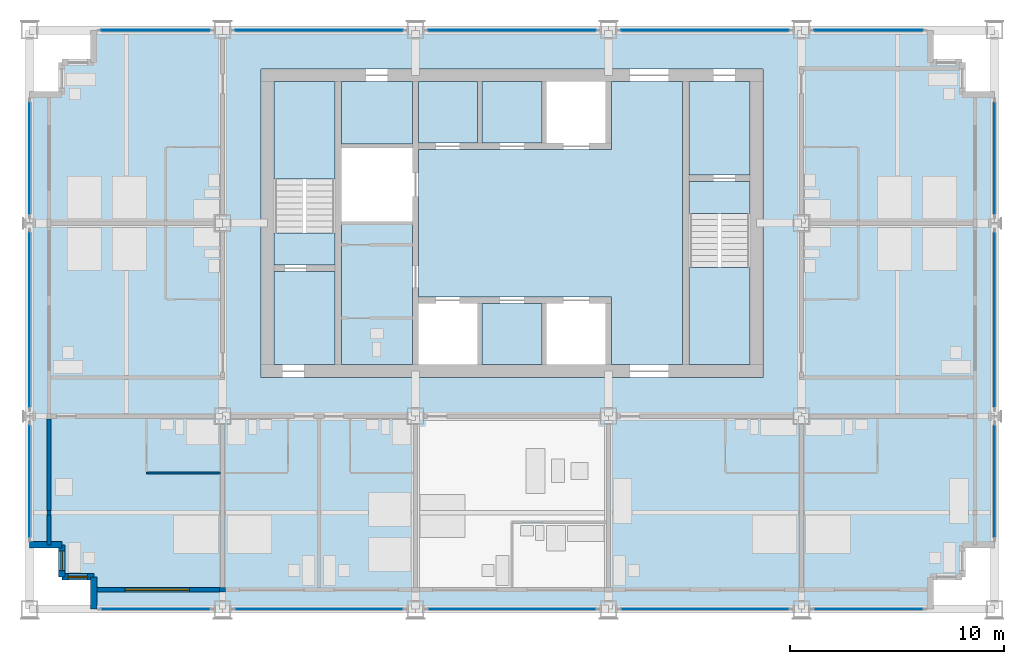
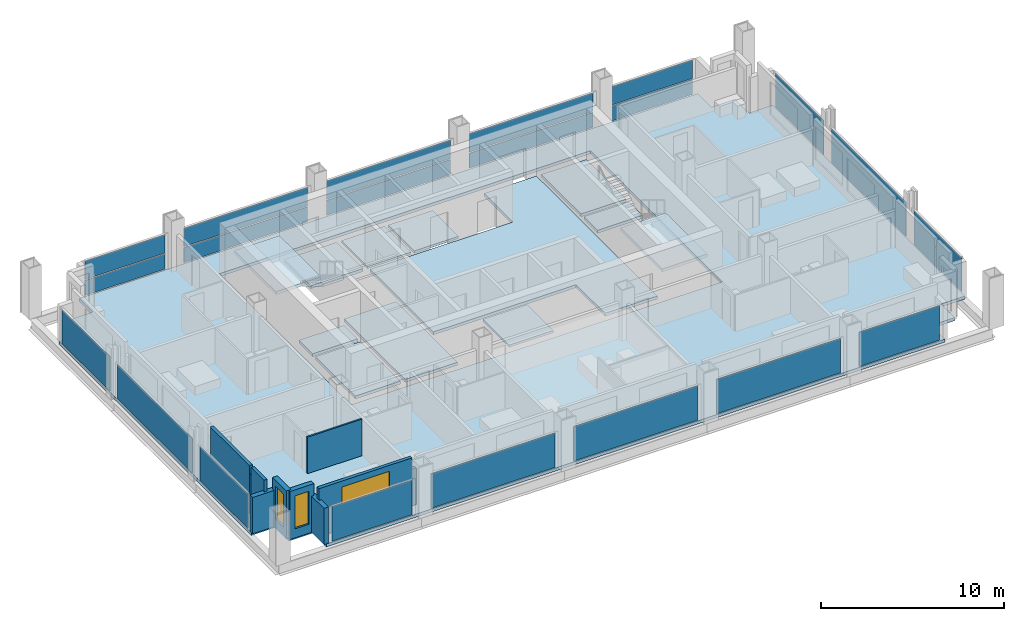
# One storey, part 6 of 13: 21 plates, 13 slabs, 10 walls, 3 windows, 3 openings, 18 elements without a shape of their own.
"""IFC4 building model written with IfcOpenShell, lengths in metres."""

import ifcopenshell
import ifcopenshell.guid

model = None  # the IFC model being written
_history = None  # IfcOwnerHistory: only IFC2X3 demands one
_inside = {}  # id of a spatial element -> (the spatial element, [elements in it])
_under = {}  # id of a project, library or spatial element -> (it, [spatial elements below it])
_declared = {}  # id of a project -> (the project, [libraries it declares])
_typed = {}  # id of a type object -> (the type object, [elements of that type])
_made_of = {}  # id of a material, layer set ... -> (it, [elements and type objects made of it])


def new_model(schema):
    """Start an empty IFC model of exactly this schema.

    Asked for "IFC4X3", IfcOpenShell would pick the latest addendum, in which some entities
    have other attributes; the version numbers below select the first issue.
    IFC2X3 requires an IfcOwnerHistory on every rooted entity: one is made here for all.
    """
    global model, _history
    if schema == "IFC4X3":
        model = ifcopenshell.file(schema_version=(4, 3, 0, 0))
    else:
        model = ifcopenshell.file(schema=schema)
    _inside.clear()
    _under.clear()
    _declared.clear()
    _typed.clear()
    _made_of.clear()
    _history = None
    if model.schema == "IFC2X3":
        org = make("IfcOrganization", Name="unknown")
        user = make(
            "IfcPersonAndOrganization",
            ThePerson=make("IfcPerson", FamilyName="unknown"),
            TheOrganization=org,
        )
        app = make(
            "IfcApplication",
            ApplicationDeveloper=org,
            Version="unknown",
            ApplicationFullName="unknown",
            ApplicationIdentifier="unknown",
        )
        _history = make(
            "IfcOwnerHistory",
            OwningUser=user,
            OwningApplication=app,
            ChangeAction="ADDED",
            CreationDate=0,
        )
    return model


def make(cls, **values):
    """One entity of the class cls with the attributes given. An attribute that is None is left unset."""
    return model.create_entity(
        cls, **{name: value for name, value in values.items() if value is not None}
    )


def rooted(cls, **values):
    """An entity with a GlobalId (a new one), such as an element, a storey or a relation."""
    return make(cls, GlobalId=ifcopenshell.guid.new(), OwnerHistory=_history, **values)


def si_unit(unit_type, name, prefix=None):
    """IfcSIUnit, for example si_unit("LENGTHUNIT", "METRE", prefix="MILLI")."""
    return make("IfcSIUnit", UnitType=unit_type, Prefix=prefix, Name=name)


def assignment(units):
    """IfcUnitAssignment: the units of a project."""
    return None if units is None else make("IfcUnitAssignment", Units=units)


def point(xyz):
    """IfcCartesianPoint."""
    return None if xyz is None else make("IfcCartesianPoint", Coordinates=xyz)


def direction(xyz):
    """IfcDirection."""
    return None if xyz is None else make("IfcDirection", DirectionRatios=xyz)


def frame(location, z_axis=None, x_axis=None):
    """IfcAxis2Placement3D, a coordinate frame: its origin and axes. An axis left out is left unset."""
    return make(
        "IfcAxis2Placement3D",
        Location=point(location),
        Axis=direction(z_axis),
        RefDirection=direction(x_axis),
    )


def frame_2d(location, x_axis=None):
    """IfcAxis2Placement2D, a coordinate frame in the plane: its origin and x axis."""
    return make(
        "IfcAxis2Placement2D", Location=point(location), RefDirection=direction(x_axis)
    )


def origin():
    """The frame at (0, 0, 0) with its axes left unset."""
    return frame((0.0, 0.0, 0.0))


def origin_2d():
    """The frame at (0, 0) in the plane with its x axis left unset."""
    return frame_2d((0.0, 0.0))


def place(relative_to, where):
    """IfcLocalPlacement: puts the frame where relative to a parent placement (None: the world)."""
    return make(
        "IfcLocalPlacement", PlacementRelTo=relative_to, RelativePlacement=where
    )


def context(
    kind, dimensions, precision=None, world=None, true_north=None, identifier=None
):
    """IfcGeometricRepresentationContext, for example the 3D "Model" context."""
    return make(
        "IfcGeometricRepresentationContext",
        ContextIdentifier=identifier,
        ContextType=kind,
        CoordinateSpaceDimension=dimensions,
        Precision=precision,
        WorldCoordinateSystem=world,
        TrueNorth=true_north,
    )


def subcontext(parent, identifier, kind, view, scale=None):
    """IfcGeometricRepresentationSubContext, for example "Body" below "Model"."""
    return make(
        "IfcGeometricRepresentationSubContext",
        ContextIdentifier=identifier,
        ContextType=kind,
        ParentContext=parent,
        TargetScale=scale,
        TargetView=view,
    )


def project(units=None, contexts=None):
    """IfcProject with its units and contexts."""
    return rooted(
        "IfcProject",
        Name="project",
        RepresentationContexts=contexts,
        UnitsInContext=assignment(units),
    )


def spatial(cls, under=None, at=None, **own):
    """A site, building, storey or space (cls), placed at a placement, below another one or the project."""
    s = rooted(cls, ObjectPlacement=at, **own)
    if under is not None:
        _under.setdefault(under.id(), (under, []))[1].append(s)
    return s


def polyline(points):
    """IfcPolyline through the points."""
    return make("IfcPolyline", Points=[point(p) for p in points])


def profile(cls, at=None, kind="AREA", **sizes):
    """A parametric profile (cls). Its sizes go by their IFC names, for example OverallWidth=200.0."""
    return make(cls, ProfileType=kind, Position=at, **sizes)


def rectangle(**sizes):
    """IfcRectangleProfileDef."""
    return profile("IfcRectangleProfileDef", **sizes)


def outline(outer, holes=None, kind="AREA"):
    """IfcArbitraryClosedProfileDef: a profile drawn as a closed curve; with holes, ...WithVoids."""
    if holes is None:
        return make("IfcArbitraryClosedProfileDef", ProfileType=kind, OuterCurve=outer)
    return make(
        "IfcArbitraryProfileDefWithVoids",
        ProfileType=kind,
        OuterCurve=outer,
        InnerCurves=holes,
    )


def extrude(swept, where, along, depth):
    """IfcExtrudedAreaSolid: the profile swept, set in the frame where, extruded along a direction by depth."""
    return make(
        "IfcExtrudedAreaSolid",
        SweptArea=swept,
        Position=where,
        ExtrudedDirection=direction(along),
        Depth=depth,
    )


def shape(context_of_items, identifier, shape_type, items):
    """IfcShapeRepresentation: the items that make up one representation, for example the "Body"."""
    return make(
        "IfcShapeRepresentation",
        ContextOfItems=context_of_items,
        RepresentationIdentifier=identifier,
        RepresentationType=shape_type,
        Items=items,
    )


def material(Name=None, Category=None):
    """IfcMaterial."""
    return make("IfcMaterial", Name=Name, Category=Category)


def layer(
    of_material, thickness, ventilated=None, Name=None, Category=None, Priority=None
):
    """IfcMaterialLayer: one layer of a wall or slab, of a material (None: an air gap)."""
    return make(
        "IfcMaterialLayer",
        Material=of_material,
        LayerThickness=thickness,
        IsVentilated=ventilated,
        Name=Name,
        Category=Category,
        Priority=Priority,
    )


def layer_set(layers, Name=None):
    """IfcMaterialLayerSet."""
    return make("IfcMaterialLayerSet", MaterialLayers=layers, LayerSetName=Name)


def made_of(thing, what):
    """Note that an element or type object is made of a material, layer set ...; save() writes the relation."""
    if what is not None:
        _made_of.setdefault(what.id(), (what, []))[1].append(thing)
    return thing


def type_object(cls, material=None, **own):
    """A type object (cls), such as IfcWallType, which elements share."""
    return made_of(rooted(cls, **own), material)


def element(
    cls,
    number,
    at=None,
    inside=None,
    cuts=None,
    type_object=None,
    material=None,
    context=None,
    identifier="Body",
    shape_type=None,
    held_by="IfcProductDefinitionShape",
    body=None,
    shapes=None,
    **own,
):
    """One element of the class cls, such as IfcWall. Its Tag is "e" and its number.

    at: its placement. inside: the storey or other place that contains it. cuts: it is an
    opening in that element (IfcRelVoidsElement). A single representation is given by context,
    identifier, shape_type and body (its items); several are given by shapes. held_by: the class
    of the entity that holds the representations. save() writes the other relations.
    """
    e = rooted(cls, Tag="e%d" % number, ObjectPlacement=at, **own)
    if body is not None:
        shapes = [shape(context, identifier, shape_type, body)]
    if shapes is not None:
        e.Representation = make(held_by, Representations=shapes)
    if inside is not None:
        _inside.setdefault(inside.id(), (inside, []))[1].append(e)
    if cuts is not None:
        rooted(
            "IfcRelVoidsElement", RelatingBuildingElement=cuts, RelatedOpeningElement=e
        )
    if type_object is not None:
        _typed.setdefault(type_object.id(), (type_object, []))[1].append(e)
    return made_of(e, material)


def fill(opening, filler):
    """IfcRelFillsElement: the door or window that sits in an opening."""
    return rooted(
        "IfcRelFillsElement",
        RelatingOpeningElement=opening,
        RelatedBuildingElement=filler,
    )


def aggregate(whole, parts):
    """IfcRelAggregates: a whole, such as a stair, and the parts it consists of."""
    return rooted("IfcRelAggregates", RelatingObject=whole, RelatedObjects=parts)


def save(model, path):
    """Write the relations noted so far, then the file.

    IfcRelAggregates (storeys below a building ...), IfcRelContainedInSpatialStructure (elements
    in a storey), IfcRelDefinesByType, IfcRelAssociatesMaterial and IfcRelDeclares: one each for
    every whole, place, type object, material and project.
    """
    for whole, parts in _under.values():
        aggregate(whole, parts)
    for where, things in _inside.values():
        rooted(
            "IfcRelContainedInSpatialStructure",
            RelatedElements=things,
            RelatingStructure=where,
        )
    for kind, things in _typed.values():
        rooted("IfcRelDefinesByType", RelatedObjects=things, RelatingType=kind)
    for what, things in _made_of.values():
        rooted("IfcRelAssociatesMaterial", RelatedObjects=things, RelatingMaterial=what)
    for by, libraries in _declared.values():
        rooted("IfcRelDeclares", RelatingContext=by, RelatedDefinitions=libraries)
    model.write(path)


model = new_model("IFC4")

# Units and contexts
model_context = context("Model", 3, precision=1e-05, world=origin(), true_north=direction((0.0, 1.0)))
body_context = subcontext(model_context, "Body", "Model", "MODEL_VIEW")
ifc_project = project(units=[si_unit("LENGTHUNIT", "METRE"), si_unit("AREAUNIT", "SQUARE_METRE"), si_unit("VOLUMEUNIT", "CUBIC_METRE"), si_unit("PLANEANGLEUNIT", "RADIAN"), si_unit("MASSUNIT", "GRAM", prefix="KILO")], contexts=[model_context])

# Site, building, storey
site_placement = place(None, origin())
site = spatial("IfcSite", under=ifc_project, at=site_placement, CompositionType="ELEMENT")
building_placement = place(site_placement, origin())
building = spatial("IfcBuilding", under=site, at=building_placement, Name="Loomwork Tower", CompositionType="ELEMENT")
storey_placement = place(building_placement, frame((0.0, 0.0, 184.199951171875)))
storey = spatial("IfcBuildingStorey", under=building, at=storey_placement, Name="L50", CompositionType="ELEMENT", Elevation=184.199951171875)

# Slabs
ifc_material_1 = material(Name="Concrete 5000 psi (34 MPa) on composite metal deck", Category="concrete")
ifc_layer_1 = layer(ifc_material_1, 0.199951171875)
ifc_layer_set_1 = layer_set([ifc_layer_1], Name="Floor slab 200")
slab_type_1 = type_object("IfcSlabType", Name="Floor slab 200", PredefinedType="FLOOR", material=ifc_layer_set_1)
slab_1_placement = place(storey_placement, frame((0.0, 0.0, -0.199951171875)))
element("IfcSlab", 1, at=slab_1_placement, inside=storey, type_object=slab_type_1, Name="Floor slab L50", PredefinedType="FLOOR", context=body_context, shape_type="SweptSolid", body=[
    extrude(outline(polyline([(3.0, 1.5), (1.5, 1.5), (1.5, 3.0), (0.0, 3.0), (0.0, 24.0), (1.5, 24.0), (1.5, 25.5), (3.0, 25.5), (3.0, 27.0), (42.0, 27.0), (42.0, 25.5), (43.5, 25.5), (43.5, 24.0), (45.0, 24.0), (45.0, 3.0), (43.5, 3.0), (43.5, 1.5), (42.0, 1.5), (42.0, 0.0), (3.0, 0.0), (3.0, 1.5)]), holes=[polyline([(10.800048828125, 11.39990234375), (10.800048828125, 11.39990234375), (10.800048828125, 10.800048828125), (34.199951171875, 10.800048828125), (34.199951171875, 11.39990234375), (34.199951171875, 11.39990234375), (34.199951171875, 24.60009765625), (34.199951171875, 25.199951171875), (10.800048828125, 25.199951171875), (10.800048828125, 24.60009765625), (10.800048828125, 11.39990234375)])]), origin(), (0.0, 0.0, 1.0), 0.199951171875),
])
slab_2_placement = place(storey_placement, frame((0.0, 0.0, -0.199951171875)))
element("IfcSlab", 2, at=slab_2_placement, inside=storey, type_object=slab_type_1, Name="Floor slab L50", PredefinedType="FLOOR", context=body_context, shape_type="SweptSolid", body=[
    extrude(outline(polyline([(30.449951171875, 24.60009765625), (30.449951171875, 11.39990234375), (27.14990234375, 11.39990234375), (27.14990234375, 14.25), (27.14990234375, 14.550048828125), (18.14990234375, 14.550048828125), (18.14990234375, 21.449951171875), (27.14990234375, 21.449951171875), (27.14990234375, 21.75), (27.14990234375, 24.60009765625), (30.449951171875, 24.60009765625)])), origin(), (0.0, 0.0, 1.0), 0.199951171875),
])
slab_3_placement = place(storey_placement, frame((0.0, 0.0, -0.199951171875)))
element("IfcSlab", 3, at=slab_3_placement, inside=storey, type_object=slab_type_1, Name="Floor slab L50", PredefinedType="FLOOR", context=body_context, shape_type="SweptSolid", body=[
    extrude(outline(polyline([(14.550048828125, 11.39990234375), (14.550048828125, 18.074951171875), (17.85009765625, 18.074951171875), (17.85009765625, 11.39990234375), (14.550048828125, 11.39990234375)])), origin(), (0.0, 0.0, 1.0), 0.199951171875),
])
slab_4_placement = place(storey_placement, frame((0.0, 0.0, -0.199951171875)))
element("IfcSlab", 4, at=slab_4_placement, inside=storey, type_object=slab_type_1, Name="Floor slab L50", PredefinedType="FLOOR", context=body_context, shape_type="SweptSolid", body=[
    extrude(outline(polyline([(33.60009765625, 20.25), (30.75, 20.25), (30.75, 24.60009765625), (33.60009765625, 24.60009765625), (33.60009765625, 20.25)])), origin(), (0.0, 0.0, 1.0), 0.199951171875),
])
slab_5_placement = place(storey_placement, frame((0.0, 0.0, -0.199951171875)))
element("IfcSlab", 5, at=slab_5_placement, inside=storey, type_object=slab_type_1, Name="Floor slab L50", PredefinedType="FLOOR", context=body_context, shape_type="SweptSolid", body=[
    extrude(outline(polyline([(14.25, 15.75), (14.25, 11.39990234375), (11.39990234375, 11.39990234375), (11.39990234375, 15.75), (14.25, 15.75)])), origin(), (0.0, 0.0, 1.0), 0.199951171875),
])
slab_6_placement = place(storey_placement, frame((0.0, 0.0, -0.199951171875)))
element("IfcSlab", 6, at=slab_6_placement, inside=storey, type_object=slab_type_1, Name="Floor slab L50", PredefinedType="FLOOR", context=body_context, shape_type="SweptSolid", body=[
    extrude(outline(polyline([(14.550048828125, 21.699951171875), (14.550048828125, 24.60009765625), (17.85009765625, 24.60009765625), (17.85009765625, 21.699951171875), (14.550048828125, 21.699951171875)])), origin(), (0.0, 0.0, 1.0), 0.199951171875),
])

# Curtain wall, plate
ifc_material_2 = material(Name="Aluminium curtain wall frame", Category="aluminium")
curtain_wall_type_1 = type_object("IfcCurtainWallType", Name="Outer skin glazing hotel", PredefinedType="NOTDEFINED", material=ifc_material_2)
curtain_wall_1_placement = place(storey_placement, origin())
curtain_wall_1 = element("IfcCurtainWall", 7, at=curtain_wall_1_placement, inside=storey, type_object=curtain_wall_type_1, Name="Outer skin glazing hotel cw/S-0", PredefinedType="NOTDEFINED")
ifc_material_3 = material(Name="Clear laminated glass", Category="glass")
ifc_layer_2 = layer(ifc_material_3, 0.02392578125)
ifc_layer_set_2 = layer_set([ifc_layer_2], Name="Outer skin glazing hotel panel")
plate_type_1 = type_object("IfcPlateType", Name="Outer skin glazing hotel panel", PredefinedType="CURTAIN_PANEL", material=ifc_layer_set_2)
plate_1_placement = place(storey_placement, frame((5.875, 0.0, 0.06494140625), z_axis=(0.0, 0.0, 1.0), x_axis=(1.0, 0.0, 0.0)))
plate_1 = element("IfcPlate", 8, at=plate_1_placement, type_object=plate_type_1, Name="CW1 panel 1.1", PredefinedType="CURTAIN_PANEL", context=body_context, shape_type="SweptSolid", body=[
    extrude(rectangle(XDim=5.050048828125, YDim=0.02392578125, at=origin_2d()), origin(), (0.0, 0.0, 1.0), 2.290283203125),
])
aggregate(curtain_wall_1, [plate_1])

curtain_wall_2_placement = place(storey_placement, origin())
curtain_wall_2 = element("IfcCurtainWall", 9, at=curtain_wall_2_placement, inside=storey, type_object=curtain_wall_type_1, Name="Outer skin glazing hotel cw/S-9", PredefinedType="NOTDEFINED")
plate_2_placement = place(storey_placement, frame((13.5, 0.0, 0.06494140625), z_axis=(0.0, 0.0, 1.0), x_axis=(1.0, 0.0, 0.0)))
plate_2 = element("IfcPlate", 10, at=plate_2_placement, type_object=plate_type_1, Name="CW1 panel 1.1", PredefinedType="CURTAIN_PANEL", context=body_context, shape_type="SweptSolid", body=[
    extrude(rectangle(XDim=7.800048828125, YDim=0.02392578125, at=origin_2d()), origin(), (0.0, 0.0, 1.0), 2.290283203125),
])
aggregate(curtain_wall_2, [plate_2])

curtain_wall_3_placement = place(storey_placement, origin())
curtain_wall_3 = element("IfcCurtainWall", 11, at=curtain_wall_3_placement, inside=storey, type_object=curtain_wall_type_1, Name="Outer skin glazing hotel cw/S-18", PredefinedType="NOTDEFINED")
plate_3_placement = place(storey_placement, frame((22.5, 0.0, 0.06494140625), z_axis=(0.0, 0.0, 1.0), x_axis=(1.0, 0.0, 0.0)))
plate_3 = element("IfcPlate", 12, at=plate_3_placement, type_object=plate_type_1, Name="CW1 panel 1.1", PredefinedType="CURTAIN_PANEL", context=body_context, shape_type="SweptSolid", body=[
    extrude(rectangle(XDim=7.800048828125, YDim=0.02392578125, at=origin_2d()), origin(), (0.0, 0.0, 1.0), 2.290283203125),
])
aggregate(curtain_wall_3, [plate_3])

curtain_wall_4_placement = place(storey_placement, origin())
curtain_wall_4 = element("IfcCurtainWall", 13, at=curtain_wall_4_placement, inside=storey, type_object=curtain_wall_type_1, Name="Outer skin glazing hotel cw/S-27", PredefinedType="NOTDEFINED")
plate_4_placement = place(storey_placement, frame((31.5, 0.0, 0.06494140625), z_axis=(0.0, 0.0, 1.0), x_axis=(1.0, 0.0, 0.0)))
plate_4 = element("IfcPlate", 14, at=plate_4_placement, type_object=plate_type_1, Name="CW1 panel 1.1", PredefinedType="CURTAIN_PANEL", context=body_context, shape_type="SweptSolid", body=[
    extrude(rectangle(XDim=7.800048828125, YDim=0.02392578125, at=origin_2d()), origin(), (0.0, 0.0, 1.0), 2.290283203125),
])
aggregate(curtain_wall_4, [plate_4])

curtain_wall_5_placement = place(storey_placement, origin())
curtain_wall_5 = element("IfcCurtainWall", 15, at=curtain_wall_5_placement, inside=storey, type_object=curtain_wall_type_1, Name="Outer skin glazing hotel cw/S-36", PredefinedType="NOTDEFINED")
plate_5_placement = place(storey_placement, frame((39.125, 0.0, 0.06494140625), z_axis=(0.0, 0.0, 1.0), x_axis=(1.0, 0.0, 0.0)))
plate_5 = element("IfcPlate", 16, at=plate_5_placement, type_object=plate_type_1, Name="CW1 panel 1.1", PredefinedType="CURTAIN_PANEL", context=body_context, shape_type="SweptSolid", body=[
    extrude(rectangle(XDim=5.050048828125, YDim=0.02392578125, at=origin_2d()), origin(), (0.0, 0.0, 1.0), 2.290283203125),
])
aggregate(curtain_wall_5, [plate_5])

curtain_wall_6_placement = place(storey_placement, origin())
curtain_wall_6 = element("IfcCurtainWall", 17, at=curtain_wall_6_placement, inside=storey, type_object=curtain_wall_type_1, Name="Outer skin glazing hotel cw/W-0", PredefinedType="NOTDEFINED")
plate_6_placement = place(storey_placement, frame((0.0, 5.962646484375, 0.06494140625), z_axis=(0.0, 0.0, 1.0), x_axis=(0.0, -1.0, 0.0)))
plate_6 = element("IfcPlate", 18, at=plate_6_placement, type_object=plate_type_1, Name="CW1 panel 1.1", PredefinedType="CURTAIN_PANEL", context=body_context, shape_type="SweptSolid", body=[
    extrude(rectangle(XDim=5.22509765625, YDim=0.02392578125, at=origin_2d()), origin(), (0.0, 0.0, 1.0), 2.290283203125),
])
aggregate(curtain_wall_6, [plate_6])

curtain_wall_7_placement = place(storey_placement, origin())
curtain_wall_7 = element("IfcCurtainWall", 19, at=curtain_wall_7_placement, inside=storey, type_object=curtain_wall_type_1, Name="Outer skin glazing hotel cw/W-9", PredefinedType="NOTDEFINED")
plate_7_placement = place(storey_placement, frame((0.0, 13.5, 0.06494140625), z_axis=(0.0, 0.0, 1.0), x_axis=(0.0, -1.0, 0.0)))
plate_7 = element("IfcPlate", 20, at=plate_7_placement, type_object=plate_type_1, Name="CW1 panel 1.1", PredefinedType="CURTAIN_PANEL", context=body_context, shape_type="SweptSolid", body=[
    extrude(rectangle(XDim=8.150390625, YDim=0.02392578125, at=origin_2d()), origin(), (0.0, 0.0, 1.0), 2.290283203125),
])
aggregate(curtain_wall_7, [plate_7])

curtain_wall_8_placement = place(storey_placement, origin())
curtain_wall_8 = element("IfcCurtainWall", 21, at=curtain_wall_8_placement, inside=storey, type_object=curtain_wall_type_1, Name="Outer skin glazing hotel cw/W-18", PredefinedType="NOTDEFINED")
plate_8_placement = place(storey_placement, frame((0.0, 21.037353515625, 0.06494140625), z_axis=(0.0, 0.0, 1.0), x_axis=(0.0, -1.0, 0.0)))
plate_8 = element("IfcPlate", 22, at=plate_8_placement, type_object=plate_type_1, Name="CW1 panel 1.1", PredefinedType="CURTAIN_PANEL", context=body_context, shape_type="SweptSolid", body=[
    extrude(rectangle(XDim=5.22509765625, YDim=0.02392578125, at=origin_2d()), origin(), (0.0, 0.0, 1.0), 2.290283203125),
])
aggregate(curtain_wall_8, [plate_8])

curtain_wall_9_placement = place(storey_placement, origin())
curtain_wall_9 = element("IfcCurtainWall", 23, at=curtain_wall_9_placement, inside=storey, type_object=curtain_wall_type_1, Name="Outer skin glazing hotel cw/E-0", PredefinedType="NOTDEFINED")
plate_9_placement = place(storey_placement, frame((45.0, 5.962646484375, 0.06494140625), z_axis=(0.0, 0.0, 1.0), x_axis=(0.0, 1.0, 0.0)))
plate_9 = element("IfcPlate", 24, at=plate_9_placement, type_object=plate_type_1, Name="CW1 panel 1.1", PredefinedType="CURTAIN_PANEL", context=body_context, shape_type="SweptSolid", body=[
    extrude(rectangle(XDim=5.22509765625, YDim=0.02392578125, at=origin_2d()), origin(), (0.0, 0.0, 1.0), 2.290283203125),
])
aggregate(curtain_wall_9, [plate_9])

curtain_wall_10_placement = place(storey_placement, origin())
curtain_wall_10 = element("IfcCurtainWall", 25, at=curtain_wall_10_placement, inside=storey, type_object=curtain_wall_type_1, Name="Outer skin glazing hotel cw/E-9", PredefinedType="NOTDEFINED")
plate_10_placement = place(storey_placement, frame((45.0, 13.5, 0.06494140625), z_axis=(0.0, 0.0, 1.0), x_axis=(0.0, 1.0, 0.0)))
plate_10 = element("IfcPlate", 26, at=plate_10_placement, type_object=plate_type_1, Name="CW1 panel 1.1", PredefinedType="CURTAIN_PANEL", context=body_context, shape_type="SweptSolid", body=[
    extrude(rectangle(XDim=8.150390625, YDim=0.02392578125, at=origin_2d()), origin(), (0.0, 0.0, 1.0), 2.290283203125),
])
aggregate(curtain_wall_10, [plate_10])

curtain_wall_11_placement = place(storey_placement, origin())
curtain_wall_11 = element("IfcCurtainWall", 27, at=curtain_wall_11_placement, inside=storey, type_object=curtain_wall_type_1, Name="Outer skin glazing hotel cw/E-18", PredefinedType="NOTDEFINED")
plate_11_placement = place(storey_placement, frame((45.0, 21.037353515625, 0.06494140625), z_axis=(0.0, 0.0, 1.0), x_axis=(0.0, 1.0, 0.0)))
plate_11 = element("IfcPlate", 28, at=plate_11_placement, type_object=plate_type_1, Name="CW1 panel 1.1", PredefinedType="CURTAIN_PANEL", context=body_context, shape_type="SweptSolid", body=[
    extrude(rectangle(XDim=5.22509765625, YDim=0.02392578125, at=origin_2d()), origin(), (0.0, 0.0, 1.0), 2.290283203125),
])
aggregate(curtain_wall_11, [plate_11])

# Slabs
ifc_material_4 = material(Name="Concrete 5000 psi (34 MPa) on composite metal deck", Category="concrete")
ifc_layer_3 = layer(ifc_material_4, 0.14990234375)
ifc_layer_set_3 = layer_set([ifc_layer_3], Name="Shaft infill floor 150")
slab_type_2 = type_object("IfcSlabType", Name="Shaft infill floor 150", PredefinedType="FLOOR", material=ifc_layer_set_3)
slab_7_placement = place(storey_placement, frame((0.0, 0.0, -0.14990234375)))
element("IfcSlab", 29, at=slab_7_placement, inside=storey, type_object=slab_type_2, Name="Shaft infill floor LS1 L50", PredefinedType="FLOOR", context=body_context, shape_type="SweptSolid", body=[
    extrude(outline(polyline([(18.14990234375, 21.75), (20.89990234375, 21.75), (20.89990234375, 24.60009765625), (18.14990234375, 24.60009765625), (18.14990234375, 21.75)])), origin(), (0.0, 0.0, 1.0), 0.14990234375),
])
slab_8_placement = place(storey_placement, frame((0.0, 0.0, -0.14990234375)))
element("IfcSlab", 30, at=slab_8_placement, inside=storey, type_object=slab_type_2, Name="Shaft infill floor LS2 L50", PredefinedType="FLOOR", context=body_context, shape_type="SweptSolid", body=[
    extrude(outline(polyline([(21.10009765625, 21.75), (23.89990234375, 21.75), (23.89990234375, 24.60009765625), (21.10009765625, 24.60009765625), (21.10009765625, 21.75)])), origin(), (0.0, 0.0, 1.0), 0.14990234375),
])
slab_9_placement = place(storey_placement, frame((0.0, 0.0, -0.14990234375)))
element("IfcSlab", 31, at=slab_9_placement, inside=storey, type_object=slab_type_2, Name="Shaft infill floor S2 L50", PredefinedType="FLOOR", context=body_context, shape_type="SweptSolid", body=[
    extrude(outline(polyline([(21.10009765625, 11.39990234375), (23.89990234375, 11.39990234375), (23.89990234375, 14.25), (21.10009765625, 14.25), (21.10009765625, 11.39990234375)])), origin(), (0.0, 0.0, 1.0), 0.14990234375),
])

# Curtain wall, plates
ifc_material_5 = material(Name="Aluminium curtain wall frame", Category="aluminium")
curtain_wall_type_2 = type_object("IfcCurtainWallType", Name="Single skin glazing corridor", PredefinedType="NOTDEFINED", material=ifc_material_5)
curtain_wall_12_placement = place(storey_placement, origin())
curtain_wall_12 = element("IfcCurtainWall", 32, at=curtain_wall_12_placement, inside=storey, type_object=curtain_wall_type_2, Name="Single skin glazing corridor cw/N-0", PredefinedType="NOTDEFINED")
ifc_material_6 = material(Name="Clear insulated glass", Category="glass")
ifc_layer_4 = layer(ifc_material_6, 0.031982421875)
ifc_layer_set_4 = layer_set([ifc_layer_4], Name="Single skin glazing corridor panel")
plate_type_2 = type_object("IfcPlateType", Name="Single skin glazing corridor panel", PredefinedType="CURTAIN_PANEL", material=ifc_layer_set_4)
plate_12_placement = place(storey_placement, frame((5.875, 27.0, 0.065185546875), z_axis=(0.0, 0.0, 1.0), x_axis=(-1.0, 0.0, 0.0)))
plate_12 = element("IfcPlate", 33, at=plate_12_placement, type_object=plate_type_2, Name="CW3 panel 1.1", PredefinedType="CURTAIN_PANEL", context=body_context, shape_type="SweptSolid", body=[
    extrude(rectangle(XDim=5.050048828125, YDim=0.031982421875, at=origin_2d()), origin(), (0.0, 0.0, 1.0), 1.00244140625),
])
plate_13_placement = place(storey_placement, frame((5.875, 27.0, 1.132568359375), z_axis=(0.0, 0.0, 1.0), x_axis=(-1.0, 0.0, 0.0)))
plate_13 = element("IfcPlate", 34, at=plate_13_placement, type_object=plate_type_2, Name="CW3 panel 1.2", PredefinedType="CURTAIN_PANEL", context=body_context, shape_type="SweptSolid", body=[
    extrude(rectangle(XDim=5.050048828125, YDim=0.031982421875, at=origin_2d()), origin(), (0.0, 0.0, 1.0), 1.22265625),
])
aggregate(curtain_wall_12, [plate_12, plate_13])

curtain_wall_13_placement = place(storey_placement, origin())
curtain_wall_13 = element("IfcCurtainWall", 35, at=curtain_wall_13_placement, inside=storey, type_object=curtain_wall_type_2, Name="Single skin glazing corridor cw/N-9", PredefinedType="NOTDEFINED")
plate_14_placement = place(storey_placement, frame((13.5, 27.0, 0.065185546875), z_axis=(0.0, 0.0, 1.0), x_axis=(-1.0, 0.0, 0.0)))
plate_14 = element("IfcPlate", 36, at=plate_14_placement, type_object=plate_type_2, Name="CW3 panel 1.1", PredefinedType="CURTAIN_PANEL", context=body_context, shape_type="SweptSolid", body=[
    extrude(rectangle(XDim=7.800048828125, YDim=0.031982421875, at=origin_2d()), origin(), (0.0, 0.0, 1.0), 1.00244140625),
])
plate_15_placement = place(storey_placement, frame((13.5, 27.0, 1.132568359375), z_axis=(0.0, 0.0, 1.0), x_axis=(-1.0, 0.0, 0.0)))
plate_15 = element("IfcPlate", 37, at=plate_15_placement, type_object=plate_type_2, Name="CW3 panel 1.2", PredefinedType="CURTAIN_PANEL", context=body_context, shape_type="SweptSolid", body=[
    extrude(rectangle(XDim=7.800048828125, YDim=0.031982421875, at=origin_2d()), origin(), (0.0, 0.0, 1.0), 1.22265625),
])
aggregate(curtain_wall_13, [plate_14, plate_15])

curtain_wall_14_placement = place(storey_placement, origin())
curtain_wall_14 = element("IfcCurtainWall", 38, at=curtain_wall_14_placement, inside=storey, type_object=curtain_wall_type_2, Name="Single skin glazing corridor cw/N-18", PredefinedType="NOTDEFINED")
plate_16_placement = place(storey_placement, frame((22.5, 27.0, 0.065185546875), z_axis=(0.0, 0.0, 1.0), x_axis=(-1.0, 0.0, 0.0)))
plate_16 = element("IfcPlate", 39, at=plate_16_placement, type_object=plate_type_2, Name="CW3 panel 1.1", PredefinedType="CURTAIN_PANEL", context=body_context, shape_type="SweptSolid", body=[
    extrude(rectangle(XDim=7.800048828125, YDim=0.031982421875, at=origin_2d()), origin(), (0.0, 0.0, 1.0), 1.00244140625),
])
plate_17_placement = place(storey_placement, frame((22.5, 27.0, 1.132568359375), z_axis=(0.0, 0.0, 1.0), x_axis=(-1.0, 0.0, 0.0)))
plate_17 = element("IfcPlate", 40, at=plate_17_placement, type_object=plate_type_2, Name="CW3 panel 1.2", PredefinedType="CURTAIN_PANEL", context=body_context, shape_type="SweptSolid", body=[
    extrude(rectangle(XDim=7.800048828125, YDim=0.031982421875, at=origin_2d()), origin(), (0.0, 0.0, 1.0), 1.22265625),
])
aggregate(curtain_wall_14, [plate_16, plate_17])

curtain_wall_15_placement = place(storey_placement, origin())
curtain_wall_15 = element("IfcCurtainWall", 41, at=curtain_wall_15_placement, inside=storey, type_object=curtain_wall_type_2, Name="Single skin glazing corridor cw/N-27", PredefinedType="NOTDEFINED")
plate_18_placement = place(storey_placement, frame((31.5, 27.0, 0.065185546875), z_axis=(0.0, 0.0, 1.0), x_axis=(-1.0, 0.0, 0.0)))
plate_18 = element("IfcPlate", 42, at=plate_18_placement, type_object=plate_type_2, Name="CW3 panel 1.1", PredefinedType="CURTAIN_PANEL", context=body_context, shape_type="SweptSolid", body=[
    extrude(rectangle(XDim=7.800048828125, YDim=0.031982421875, at=origin_2d()), origin(), (0.0, 0.0, 1.0), 1.00244140625),
])
plate_19_placement = place(storey_placement, frame((31.5, 27.0, 1.132568359375), z_axis=(0.0, 0.0, 1.0), x_axis=(-1.0, 0.0, 0.0)))
plate_19 = element("IfcPlate", 43, at=plate_19_placement, type_object=plate_type_2, Name="CW3 panel 1.2", PredefinedType="CURTAIN_PANEL", context=body_context, shape_type="SweptSolid", body=[
    extrude(rectangle(XDim=7.800048828125, YDim=0.031982421875, at=origin_2d()), origin(), (0.0, 0.0, 1.0), 1.22265625),
])
aggregate(curtain_wall_15, [plate_18, plate_19])

curtain_wall_16_placement = place(storey_placement, origin())
curtain_wall_16 = element("IfcCurtainWall", 44, at=curtain_wall_16_placement, inside=storey, type_object=curtain_wall_type_2, Name="Single skin glazing corridor cw/N-36", PredefinedType="NOTDEFINED")
plate_20_placement = place(storey_placement, frame((39.125, 27.0, 0.065185546875), z_axis=(0.0, 0.0, 1.0), x_axis=(-1.0, 0.0, 0.0)))
plate_20 = element("IfcPlate", 45, at=plate_20_placement, type_object=plate_type_2, Name="CW3 panel 1.1", PredefinedType="CURTAIN_PANEL", context=body_context, shape_type="SweptSolid", body=[
    extrude(rectangle(XDim=5.050048828125, YDim=0.031982421875, at=origin_2d()), origin(), (0.0, 0.0, 1.0), 1.00244140625),
])
plate_21_placement = place(storey_placement, frame((39.125, 27.0, 1.132568359375), z_axis=(0.0, 0.0, 1.0), x_axis=(-1.0, 0.0, 0.0)))
plate_21 = element("IfcPlate", 46, at=plate_21_placement, type_object=plate_type_2, Name="CW3 panel 1.2", PredefinedType="CURTAIN_PANEL", context=body_context, shape_type="SweptSolid", body=[
    extrude(rectangle(XDim=5.050048828125, YDim=0.031982421875, at=origin_2d()), origin(), (0.0, 0.0, 1.0), 1.22265625),
])
aggregate(curtain_wall_16, [plate_20, plate_21])

# Stair, slabs
ifc_material_7 = material(Name="Concrete 5000 psi (34 MPa) precast stair", Category="concrete")
stair_type_1 = type_object("IfcStairType", Name="Stair ST-A 20 risers 2850 wide", PredefinedType="HALF_TURN_STAIR", material=ifc_material_7)
stair_1_placement = place(storey_placement, origin())
stair_1 = element("IfcStair", 47, at=stair_1_placement, inside=storey, type_object=stair_type_1, Name="Stair A L50", PredefinedType="HALF_TURN_STAIR")
ifc_material_8 = material(Name="Concrete 5000 psi (34 MPa)", Category="concrete")
ifc_layer_5 = layer(ifc_material_8, 0.199951171875)
ifc_layer_set_5 = layer_set([ifc_layer_5], Name="Stair landing 200")
slab_type_3 = type_object("IfcSlabType", Name="Stair landing 200", PredefinedType="LANDING", material=ifc_layer_set_5)
slab_10_placement = place(storey_placement, frame((0.0, 0.0, -0.199951171875)))
slab_10 = element("IfcSlab", 48, at=slab_10_placement, type_object=slab_type_3, Name="ST-A landing 1", PredefinedType="LANDING", context=body_context, shape_type="SweptSolid", body=[
    extrude(outline(polyline([(11.39990234375, 16.050048828125), (14.25, 16.050048828125), (14.25, 17.550048828125), (11.39990234375, 17.550048828125), (11.39990234375, 16.050048828125)])), origin(), (0.0, 0.0, 1.0), 0.199951171875),
])
slab_11_placement = place(storey_placement, frame((0.0, 0.0, 1.5)))
slab_11 = element("IfcSlab", 49, at=slab_11_placement, type_object=slab_type_3, Name="ST-A landing 2", PredefinedType="LANDING", context=body_context, shape_type="SweptSolid", body=[
    extrude(outline(polyline([(11.39990234375, 20.070068359375), (14.25, 20.070068359375), (14.25, 24.60009765625), (11.39990234375, 24.60009765625), (11.39990234375, 20.070068359375)])), origin(), (0.0, 0.0, 1.0), 0.199951171875),
])
aggregate(stair_1, [slab_10, slab_11])

ifc_material_9 = material(Name="Concrete 5000 psi (34 MPa) precast stair", Category="concrete")
stair_type_2 = type_object("IfcStairType", Name="Stair ST-B 20 risers 2850 wide", PredefinedType="HALF_TURN_STAIR", material=ifc_material_9)
stair_2_placement = place(storey_placement, origin())
stair_2 = element("IfcStair", 50, at=stair_2_placement, inside=storey, type_object=stair_type_2, Name="Stair B L50", PredefinedType="HALF_TURN_STAIR")
slab_12_placement = place(storey_placement, frame((0.0, 0.0, -0.199951171875)))
slab_12 = element("IfcSlab", 51, at=slab_12_placement, type_object=slab_type_3, Name="ST-B landing 1", PredefinedType="LANDING", context=body_context, shape_type="SweptSolid", body=[
    extrude(outline(polyline([(30.75, 18.449951171875), (33.60009765625, 18.449951171875), (33.60009765625, 19.949951171875), (30.75, 19.949951171875), (30.75, 18.449951171875)])), origin(), (0.0, 0.0, 1.0), 0.199951171875),
])
slab_13_placement = place(storey_placement, frame((0.0, 0.0, 1.5)))
slab_13 = element("IfcSlab", 52, at=slab_13_placement, type_object=slab_type_3, Name="ST-B landing 2", PredefinedType="LANDING", context=body_context, shape_type="SweptSolid", body=[
    extrude(outline(polyline([(30.75, 11.39990234375), (33.60009765625, 11.39990234375), (33.60009765625, 15.929931640625), (30.75, 15.929931640625), (30.75, 11.39990234375)])), origin(), (0.0, 0.0, 1.0), 0.199951171875),
])
aggregate(stair_2, [slab_12, slab_13])

# Wall
ifc_material_10 = material(Name="Cement board on steel studs", Category="steel")
ifc_layer_6 = layer(ifc_material_10, 0.10009765625)
ifc_layer_set_6 = layer_set([ifc_layer_6], Name="En-suite partition 100")
wall_type_1 = type_object("IfcWallType", Name="En-suite partition 100", PredefinedType="PARTITIONING", material=ifc_layer_set_6)
wall_1_placement = place(storey_placement, frame((5.449951171875, 6.35009765625, 0.0), z_axis=(0.0, 0.0, 1.0), x_axis=(1.0, 0.0, 0.0)))
element("IfcWall", 53, at=wall_1_placement, inside=storey, type_object=wall_type_1, Name="En-suite wall L50 room 1", PredefinedType="PARTITIONING", context=body_context, shape_type="SweptSolid", body=[
    extrude(rectangle(XDim=3.449951171875, YDim=0.10009765625, at=frame_2d((1.72509765625, 0.0))), origin(), (0.0, 0.0, 1.0), 2.43798828125),
])

# Wall, opening, window
ifc_material_11 = material(Name="Insulated steel stud wall with gypsum lining", Category="steel")
ifc_layer_7 = layer(ifc_material_11, 0.199951171875)
ifc_layer_set_7 = layer_set([ifc_layer_7], Name="Inner skin wall 200")
wall_type_2 = type_object("IfcWallType", Name="Inner skin wall 200", PredefinedType="SOLIDWALL", material=ifc_layer_set_7)
wall_2_placement = place(storey_placement, frame((3.0, 0.89990234375, 0.0), z_axis=(0.0, 0.0, 1.0), x_axis=(1.0, 0.0, 0.0)))
wall_2 = element("IfcWall", 54, at=wall_2_placement, inside=storey, type_object=wall_type_2, Name="Inner skin wall S", PredefinedType="SOLIDWALL", context=body_context, shape_type="SweptSolid", body=[
    extrude(rectangle(XDim=5.86474609375, YDim=0.199951171875, at=frame_2d((2.932373046875, 0.0))), origin(), (0.0, 0.0, 1.0), 3.199951171875),
])
opening_1_placement = place(wall_2_placement, frame((1.449951171875, 0.0, 0.60009765625)))
opening_1 = element("IfcOpeningElement", 55, at=opening_1_placement, cuts=wall_2, Name="Opening CH1", PredefinedType="OPENING", context=body_context, shape_type="SweptSolid", body=[
    extrude(rectangle(XDim=3.0, YDim=2.199951171875, at=frame_2d((1.5, 1.10009765625))), frame((0.0, 0.10986328125, 0.0), z_axis=(0.0, -1.0, 0.0), x_axis=(1.0, 0.0, 0.0)), (0.0, 0.0, 1.0), 0.219970703125),
])
ifc_material_12 = material(Name="Aluminium frame with clear insulated glass", Category="aluminium")
window_type_1 = type_object("IfcWindowType", Name="Chicago window 3000", PartitioningType="TRIPLE_PANEL_VERTICAL", PredefinedType="WINDOW", material=ifc_material_12)
window_1_placement = place(opening_1_placement, origin())
window_1 = element("IfcWindow", 56, at=window_1_placement, inside=storey, type_object=window_type_1, Name="Chicago window L50 bay 1", OverallHeight=2.199951171875, OverallWidth=3.0, PartitioningType="TRIPLE_PANEL_VERTICAL", PredefinedType="WINDOW", context=body_context, shape_type="SweptSolid", body=[
    extrude(rectangle(XDim=3.0, YDim=2.199951171875, at=frame_2d((1.5, 1.10009765625))), frame((0.0, 0.030029296875, 0.0), z_axis=(0.0, -1.0, 0.0), x_axis=(1.0, 0.0, 0.0)), (0.0, 0.0, 1.0), 0.06005859375),
])
fill(opening_1, window_1)

# Walls
wall_3_placement = place(storey_placement, frame((0.89990234375, 3.0, 0.0), z_axis=(0.0, 0.0, 1.0), x_axis=(0.0, 1.0, 0.0)))
element("IfcWall", 57, at=wall_3_placement, inside=storey, type_object=wall_type_2, Name="Inner skin wall W", PredefinedType="SOLIDWALL", context=body_context, shape_type="SweptSolid", body=[
    extrude(rectangle(XDim=1.392578125, YDim=0.199951171875, at=frame_2d((0.6962890625, 0.0))), origin(), (0.0, 0.0, 1.0), 3.199951171875),
])
wall_4_placement = place(storey_placement, frame((8.86474609375, 0.89990234375, 0.0), z_axis=(0.0, 0.0, 1.0), x_axis=(1.0, 0.0, 0.0)))
element("IfcWall", 58, at=wall_4_placement, inside=storey, type_object=wall_type_2, Name="Inner skin wall S bay 2", PredefinedType="SOLIDWALL", context=body_context, shape_type="SweptSolid", body=[
    extrude(rectangle(XDim=0.2705078125, YDim=0.199951171875, at=frame_2d((0.13525390625, 0.0))), origin(), (0.0, 0.0, 1.0), 2.43798828125),
])
wall_5_placement = place(storey_placement, frame((0.89990234375, 4.392578125, 0.0), z_axis=(0.0, 0.0, 1.0), x_axis=(0.0, 1.0, 0.0)))
element("IfcWall", 59, at=wall_5_placement, inside=storey, type_object=wall_type_2, Name="Inner skin wall W bay 2", PredefinedType="SOLIDWALL", context=body_context, shape_type="SweptSolid", body=[
    extrude(rectangle(XDim=0.21484375, YDim=0.199951171875, at=frame_2d((0.107421875, 0.0))), origin(), (0.0, 0.0, 1.0), 2.6611328125),
])
wall_6_placement = place(storey_placement, frame((0.89990234375, 4.607421875, 0.0), z_axis=(0.0, 0.0, 1.0), x_axis=(0.0, 1.0, 0.0)))
element("IfcWall", 60, at=wall_6_placement, inside=storey, type_object=wall_type_2, Name="Inner skin wall W bay 3", PredefinedType="SOLIDWALL", context=body_context, shape_type="SweptSolid", body=[
    extrude(rectangle(XDim=4.25732421875, YDim=0.199951171875, at=frame_2d((2.128662109375, 0.0))), origin(), (0.0, 0.0, 1.0), 3.199951171875),
])
ifc_material_13 = material(Name="Limestone on concrete masonry", Category="masonry")
ifc_layer_8 = layer(ifc_material_13, 0.300048828125)
ifc_layer_set_8 = layer_set([ifc_layer_8], Name="Limestone corner wall 300")
wall_type_3 = type_object("IfcWallType", Name="Limestone corner wall 300", PredefinedType="SOLIDWALL", material=ifc_layer_set_8)
wall_7_placement = place(storey_placement, frame((0.0, 3.0, 0.0), z_axis=(0.0, 0.0, 1.0), x_axis=(1.0, 0.0, 0.0)))
element("IfcWall", 61, at=wall_7_placement, inside=storey, type_object=wall_type_3, Name="Stone corner wall SW 1", PredefinedType="SOLIDWALL", context=body_context, shape_type="SweptSolid", body=[
    extrude(rectangle(XDim=1.5, YDim=0.300048828125, at=frame_2d((0.75, 0.0))), origin(), (0.0, 0.0, 1.0), 2.420166015625),
])

# Wall, opening, window
wall_8_placement = place(storey_placement, frame((1.5, 3.0, 0.0), z_axis=(0.0, 0.0, 1.0), x_axis=(0.0, -1.0, 0.0)))
wall_8 = element("IfcWall", 62, at=wall_8_placement, inside=storey, type_object=wall_type_3, Name="Stone corner wall SW 2", PredefinedType="SOLIDWALL", context=body_context, shape_type="SweptSolid", body=[
    extrude(rectangle(XDim=1.5, YDim=0.300048828125, at=frame_2d((0.75, 0.0))), origin(), (0.0, 0.0, 1.0), 3.199951171875),
])
opening_2_placement = place(wall_8_placement, frame((0.300048828125, 0.0, 0.60009765625)))
opening_2 = element("IfcOpeningElement", 63, at=opening_2_placement, cuts=wall_8, Name="Opening CH2", PredefinedType="OPENING", context=body_context, shape_type="SweptSolid", body=[
    extrude(rectangle(XDim=0.89990234375, YDim=2.199951171875, at=frame_2d((0.449951171875, 1.10009765625))), frame((0.0, 0.159912109375, 0.0), z_axis=(0.0, -1.0, 0.0), x_axis=(1.0, 0.0, 0.0)), (0.0, 0.0, 1.0), 0.320068359375),
])
ifc_material_14 = material(Name="Aluminium frame with clear insulated glass", Category="aluminium")
window_type_2 = type_object("IfcWindowType", Name="Corner window 900", PartitioningType="SINGLE_PANEL", PredefinedType="WINDOW", material=ifc_material_14)
window_2_placement = place(opening_2_placement, origin())
window_2 = element("IfcWindow", 64, at=window_2_placement, inside=storey, type_object=window_type_2, Name="Corner window SW", OverallHeight=2.199951171875, OverallWidth=0.89990234375, PartitioningType="SINGLE_PANEL", PredefinedType="WINDOW", context=body_context, shape_type="SweptSolid", body=[
    extrude(rectangle(XDim=0.89990234375, YDim=2.199951171875, at=frame_2d((0.449951171875, 1.10009765625))), frame((0.0, 0.030029296875, 0.0), z_axis=(0.0, -1.0, 0.0), x_axis=(1.0, 0.0, 0.0)), (0.0, 0.0, 1.0), 0.06005859375),
])
fill(opening_2, window_2)

wall_9_placement = place(storey_placement, frame((1.5, 1.5, 0.0), z_axis=(0.0, 0.0, 1.0), x_axis=(1.0, 0.0, 0.0)))
wall_9 = element("IfcWall", 65, at=wall_9_placement, inside=storey, type_object=wall_type_3, Name="Stone corner wall SW 3", PredefinedType="SOLIDWALL", context=body_context, shape_type="SweptSolid", body=[
    extrude(rectangle(XDim=1.5, YDim=0.300048828125, at=frame_2d((0.75, 0.0))), origin(), (0.0, 0.0, 1.0), 3.199951171875),
])
opening_3_placement = place(wall_9_placement, frame((0.300048828125, 0.0, 0.60009765625)))
opening_3 = element("IfcOpeningElement", 66, at=opening_3_placement, cuts=wall_9, Name="Opening CH2", PredefinedType="OPENING", context=body_context, shape_type="SweptSolid", body=[
    extrude(rectangle(XDim=0.89990234375, YDim=2.199951171875, at=frame_2d((0.449951171875, 1.10009765625))), frame((0.0, 0.159912109375, 0.0), z_axis=(0.0, -1.0, 0.0), x_axis=(1.0, 0.0, 0.0)), (0.0, 0.0, 1.0), 0.320068359375),
])
window_3_placement = place(opening_3_placement, origin())
window_3 = element("IfcWindow", 67, at=window_3_placement, inside=storey, type_object=window_type_2, Name="Corner window SW", OverallHeight=2.199951171875, OverallWidth=0.89990234375, PartitioningType="SINGLE_PANEL", PredefinedType="WINDOW", context=body_context, shape_type="SweptSolid", body=[
    extrude(rectangle(XDim=0.89990234375, YDim=2.199951171875, at=frame_2d((0.449951171875, 1.10009765625))), frame((0.0, 0.030029296875, 0.0), z_axis=(0.0, -1.0, 0.0), x_axis=(1.0, 0.0, 0.0)), (0.0, 0.0, 1.0), 0.06005859375),
])
fill(opening_3, window_3)

# Wall
wall_10_placement = place(storey_placement, frame((3.0, 1.5, 0.0), z_axis=(0.0, 0.0, 1.0), x_axis=(0.0, -1.0, 0.0)))
element("IfcWall", 68, at=wall_10_placement, inside=storey, type_object=wall_type_3, Name="Stone corner wall SW 4", PredefinedType="SOLIDWALL", context=body_context, shape_type="SweptSolid", body=[
    extrude(rectangle(XDim=1.5, YDim=0.300048828125, at=frame_2d((0.75, 0.0))), origin(), (0.0, 0.0, 1.0), 2.420166015625),
])

save(model, "model.ifc")
